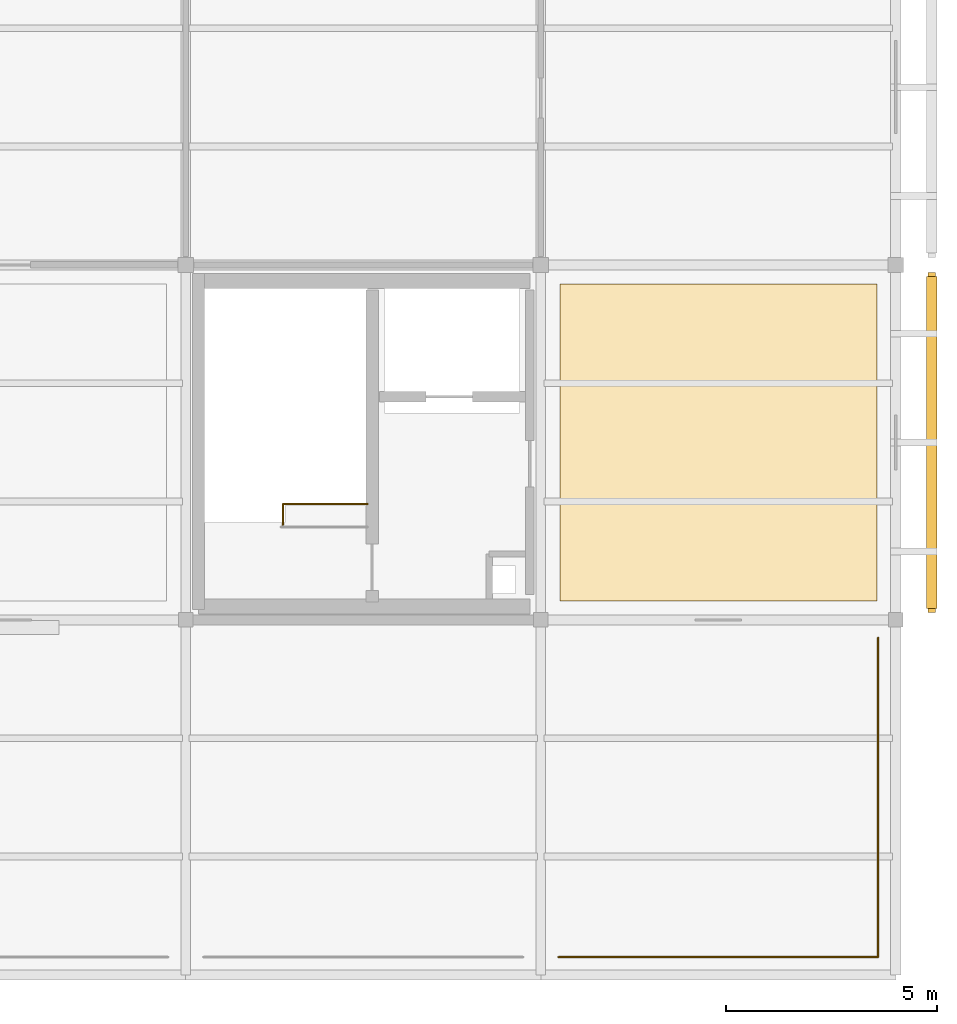
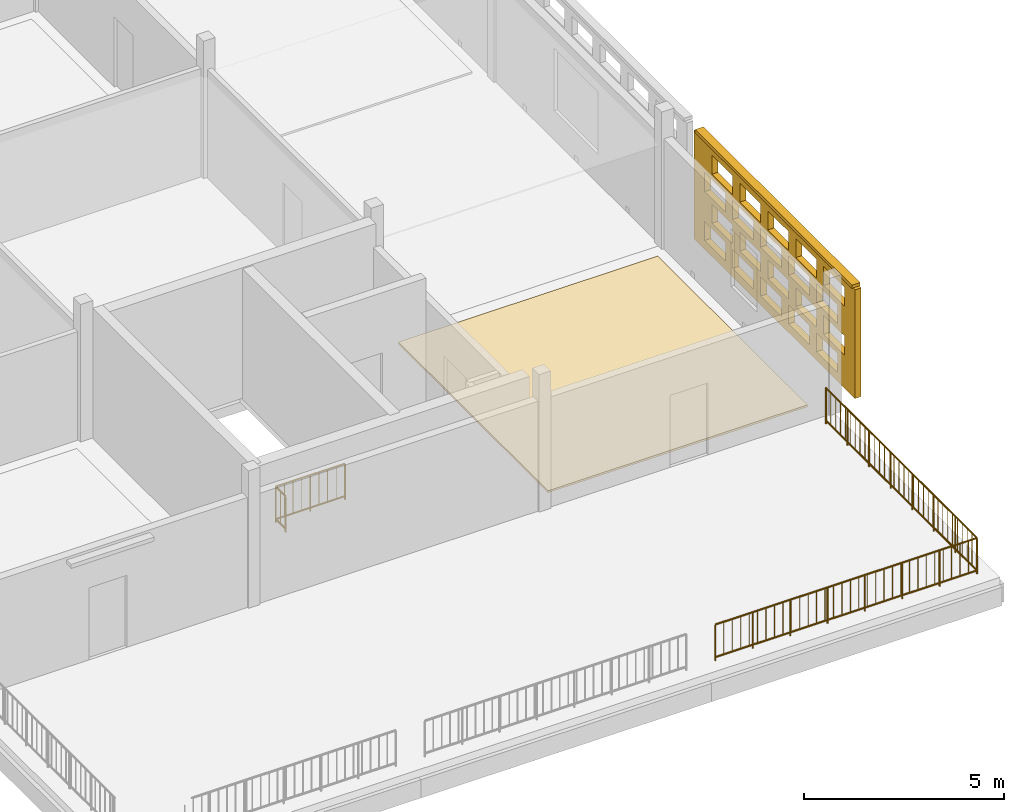
# One storey, part 6 of 13: 3 railings, 2 coverings, 1 shading device, 20 openings.
"""IFC4 building model written with IfcOpenShell, lengths in metres."""

from ifc_helpers import new_model, si_unit, direction, frame, frame_2d, origin, origin_2d, place, context, subcontext, project, spatial, rectangle, circle, extrude, material, layer, layer_set, type_object, element, save


model = new_model("IFC4")

# Units and contexts
model_context = context("Model", 3, precision=1e-05, world=origin(), true_north=direction((0.0, 1.0)))
body_context = subcontext(model_context, "Body", "Model", "MODEL_VIEW")
ifc_project = project(units=[si_unit("LENGTHUNIT", "METRE"), si_unit("AREAUNIT", "SQUARE_METRE"), si_unit("VOLUMEUNIT", "CUBIC_METRE"), si_unit("PLANEANGLEUNIT", "RADIAN"), si_unit("MASSUNIT", "GRAM", prefix="KILO")], contexts=[model_context])

# Site, building, storey
site_placement = place(None, origin())
site = spatial("IfcSite", under=ifc_project, at=site_placement, CompositionType="ELEMENT")
building_placement = place(site_placement, origin())
building = spatial("IfcBuilding", under=site, at=building_placement, Name="Varnapada Polytechnic", CompositionType="ELEMENT")
storey_placement = place(building_placement, frame((0.0, 0.0, 26.39990234375)))
storey = spatial("IfcBuildingStorey", under=building, at=storey_placement, Name="L06", CompositionType="ELEMENT", Elevation=26.39990234375)

# Covering
ifc_material_1 = material(Name="Anti-Static Raised Laboratory Flooring")
ifc_layer_1 = layer(ifc_material_1, 0.06005859375)
ifc_layer_set_1 = layer_set([ifc_layer_1], Name="Anti-Static Raised Laboratory Flooring")
covering_type_1 = type_object("IfcCoveringType", Name="Floor Finish FLR-02", PredefinedType="FLOORING", material=ifc_layer_set_1)
covering_1_placement = place(storey_placement, frame((21.0, 63.0, 0.0), z_axis=(0.0, 0.0, 1.0), x_axis=(1.0, 0.0, 0.0)))
element("IfcCovering", 1, at=covering_1_placement, inside=storey, type_object=covering_type_1, Name="L06 floor finish panel (3,8)", PredefinedType="FLOORING", context=body_context, shape_type="SweptSolid", body=[
    extrude(rectangle(XDim=7.5, YDim=7.5, at=origin_2d()), origin(), (0.0, 0.0, 1.0), 0.06005859375),
])

# Railings
ifc_material_2 = material(Name="Brushed Stainless Steel 316", Category="steel")
railing_type_1 = type_object("IfcRailingType", Name="Stair Well Guard Rail SGR-01", PredefinedType="BALUSTRADE", material=ifc_material_2)
railing_1_placement = place(storey_placement, frame((10.699951171875, 61.050048828125, 0.0)))
element("IfcRailing", 2, at=railing_1_placement, inside=storey, type_object=railing_type_1, Name="L06 C2 top stair-well guard", PredefinedType="BALUSTRADE", context=body_context, shape_type="SweptSolid", body=[
    extrude(circle(Radius=0.02392578125, at=origin_2d()), frame((0.0, 0.0, 1.09619140625), z_axis=(0.0, 1.0, 0.0), x_axis=(-1.0, 0.0, 0.0)), (0.0, 0.0, 1.0), 0.489990234375),
    extrude(circle(Radius=0.02392578125, at=origin_2d()), frame((0.0, 0.0, 0.10009765625), z_axis=(0.0, 1.0, 0.0), x_axis=(-1.0, 0.0, 0.0)), (0.0, 0.0, 1.0), 0.489990234375),
    extrude(circle(Radius=0.02392578125, at=origin_2d()), frame((0.0, 0.489990234375, 1.09619140625), z_axis=(1.0, 0.0, 0.0), x_axis=(0.0, 1.0, 0.0)), (0.0, 0.0, 1.0), 2.0),
    extrude(circle(Radius=0.02392578125, at=origin_2d()), frame((0.0, 0.489990234375, 0.10009765625), z_axis=(1.0, 0.0, 0.0), x_axis=(0.0, 1.0, 0.0)), (0.0, 0.0, 1.0), 2.0),
    extrude(circle(Radius=0.02099609375, at=origin_2d()), origin(), (0.0, 0.0, 1.0), 1.072021484375),
    extrude(circle(Radius=0.02099609375, at=origin_2d()), frame((0.0, 0.489990234375, 0.0)), (0.0, 0.0, 1.0), 1.072021484375),
    extrude(circle(Radius=0.02099609375, at=origin_2d()), frame((1.0, 0.489990234375, 0.0)), (0.0, 0.0, 1.0), 1.072021484375),
    extrude(circle(Radius=0.02099609375, at=origin_2d()), frame((2.0, 0.489990234375, 0.0)), (0.0, 0.0, 1.0), 1.072021484375),
    extrude(circle(Radius=0.010009765625, at=origin_2d()), frame((0.0, 0.2451171875, 0.10009765625)), (0.0, 0.0, 1.0), 0.971923828125),
    extrude(circle(Radius=0.010009765625, at=origin_2d()), frame((0.25, 0.489990234375, 0.10009765625)), (0.0, 0.0, 1.0), 0.971923828125),
    extrude(circle(Radius=0.010009765625, at=origin_2d()), frame((0.5, 0.489990234375, 0.10009765625)), (0.0, 0.0, 1.0), 0.971923828125),
    extrude(circle(Radius=0.010009765625, at=origin_2d()), frame((0.75, 0.489990234375, 0.10009765625)), (0.0, 0.0, 1.0), 0.971923828125),
    extrude(circle(Radius=0.010009765625, at=origin_2d()), frame((1.0, 0.489990234375, 0.10009765625)), (0.0, 0.0, 1.0), 0.971923828125),
    extrude(circle(Radius=0.010009765625, at=origin_2d()), frame((1.25, 0.489990234375, 0.10009765625)), (0.0, 0.0, 1.0), 0.971923828125),
    extrude(circle(Radius=0.010009765625, at=origin_2d()), frame((1.5, 0.489990234375, 0.10009765625)), (0.0, 0.0, 1.0), 0.971923828125),
    extrude(circle(Radius=0.010009765625, at=origin_2d()), frame((1.75, 0.489990234375, 0.10009765625)), (0.0, 0.0, 1.0), 0.971923828125),
])
ifc_material_3 = material(Name="Painted galvanized steel", Category="steel")
railing_type_2 = type_object("IfcRailingType", Name="Terrace Guard Rail GRD-01", PredefinedType="BALUSTRADE", material=ifc_material_3)
railing_2_placement = place(storey_placement, frame((17.219970703125, 50.820068359375, 0.0)))
element("IfcRailing", 3, at=railing_2_placement, inside=storey, type_object=railing_type_2, Name="L06 terrace perimeter guard rail 7", PredefinedType="BALUSTRADE", context=body_context, shape_type="SweptSolid", body=[
    extrude(circle(Radius=0.02392578125, at=origin_2d()), frame((0.0, 0.0, 1.09619140625), z_axis=(1.0, 0.0, 0.0), x_axis=(0.0, 1.0, 0.0)), (0.0, 0.0, 1.0), 7.56005859375),
    extrude(circle(Radius=0.02392578125, at=origin_2d()), frame((0.0, 0.0, 0.10009765625), z_axis=(1.0, 0.0, 0.0), x_axis=(0.0, 1.0, 0.0)), (0.0, 0.0, 1.0), 7.56005859375),
    extrude(circle(Radius=0.02099609375, at=origin_2d()), origin(), (0.0, 0.0, 1.0), 1.072021484375),
    extrude(circle(Radius=0.02099609375, at=origin_2d()), frame((1.080078125, 0.0, 0.0)), (0.0, 0.0, 1.0), 1.072021484375),
    extrude(circle(Radius=0.02099609375, at=origin_2d()), frame((2.159912109375, 0.0, 0.0)), (0.0, 0.0, 1.0), 1.072021484375),
    extrude(circle(Radius=0.02099609375, at=origin_2d()), frame((3.239990234375, 0.0, 0.0)), (0.0, 0.0, 1.0), 1.072021484375),
    extrude(circle(Radius=0.02099609375, at=origin_2d()), frame((4.320068359375, 0.0, 0.0)), (0.0, 0.0, 1.0), 1.072021484375),
    extrude(circle(Radius=0.02099609375, at=origin_2d()), frame((5.400146484375, 0.0, 0.0)), (0.0, 0.0, 1.0), 1.072021484375),
    extrude(circle(Radius=0.02099609375, at=origin_2d()), frame((6.47998046875, 0.0, 0.0)), (0.0, 0.0, 1.0), 1.072021484375),
    extrude(circle(Radius=0.02099609375, at=origin_2d()), frame((7.56005859375, 0.0, 0.0)), (0.0, 0.0, 1.0), 1.072021484375),
    extrude(circle(Radius=0.010009765625, at=origin_2d()), frame((0.243896484375, 0.0, 0.10009765625)), (0.0, 0.0, 1.0), 0.971923828125),
    extrude(circle(Radius=0.010009765625, at=origin_2d()), frame((0.48779296875, 0.0, 0.10009765625)), (0.0, 0.0, 1.0), 0.971923828125),
    extrude(circle(Radius=0.010009765625, at=origin_2d()), frame((0.731689453125, 0.0, 0.10009765625)), (0.0, 0.0, 1.0), 0.971923828125),
    extrude(circle(Radius=0.010009765625, at=origin_2d()), frame((0.9755859375, 0.0, 0.10009765625)), (0.0, 0.0, 1.0), 0.971923828125),
    extrude(circle(Radius=0.010009765625, at=origin_2d()), frame((1.219482421875, 0.0, 0.10009765625)), (0.0, 0.0, 1.0), 0.971923828125),
    extrude(circle(Radius=0.010009765625, at=origin_2d()), frame((1.463134765625, 0.0, 0.10009765625)), (0.0, 0.0, 1.0), 0.971923828125),
    extrude(circle(Radius=0.010009765625, at=origin_2d()), frame((1.70703125, 0.0, 0.10009765625)), (0.0, 0.0, 1.0), 0.971923828125),
    extrude(circle(Radius=0.010009765625, at=origin_2d()), frame((1.950927734375, 0.0, 0.10009765625)), (0.0, 0.0, 1.0), 0.971923828125),
    extrude(circle(Radius=0.010009765625, at=origin_2d()), frame((2.19482421875, 0.0, 0.10009765625)), (0.0, 0.0, 1.0), 0.971923828125),
    extrude(circle(Radius=0.010009765625, at=origin_2d()), frame((2.438720703125, 0.0, 0.10009765625)), (0.0, 0.0, 1.0), 0.971923828125),
    extrude(circle(Radius=0.010009765625, at=origin_2d()), frame((2.6826171875, 0.0, 0.10009765625)), (0.0, 0.0, 1.0), 0.971923828125),
    extrude(circle(Radius=0.010009765625, at=origin_2d()), frame((2.926513671875, 0.0, 0.10009765625)), (0.0, 0.0, 1.0), 0.971923828125),
    extrude(circle(Radius=0.010009765625, at=origin_2d()), frame((3.17041015625, 0.0, 0.10009765625)), (0.0, 0.0, 1.0), 0.971923828125),
    extrude(circle(Radius=0.010009765625, at=origin_2d()), frame((3.414306640625, 0.0, 0.10009765625)), (0.0, 0.0, 1.0), 0.971923828125),
    extrude(circle(Radius=0.010009765625, at=origin_2d()), frame((3.658203125, 0.0, 0.10009765625)), (0.0, 0.0, 1.0), 0.971923828125),
    extrude(circle(Radius=0.010009765625, at=origin_2d()), frame((3.90185546875, 0.0, 0.10009765625)), (0.0, 0.0, 1.0), 0.971923828125),
    extrude(circle(Radius=0.010009765625, at=origin_2d()), frame((4.145751953125, 0.0, 0.10009765625)), (0.0, 0.0, 1.0), 0.971923828125),
    extrude(circle(Radius=0.010009765625, at=origin_2d()), frame((4.3896484375, 0.0, 0.10009765625)), (0.0, 0.0, 1.0), 0.971923828125),
    extrude(circle(Radius=0.010009765625, at=origin_2d()), frame((4.633544921875, 0.0, 0.10009765625)), (0.0, 0.0, 1.0), 0.971923828125),
    extrude(circle(Radius=0.010009765625, at=origin_2d()), frame((4.87744140625, 0.0, 0.10009765625)), (0.0, 0.0, 1.0), 0.971923828125),
    extrude(circle(Radius=0.010009765625, at=origin_2d()), frame((5.121337890625, 0.0, 0.10009765625)), (0.0, 0.0, 1.0), 0.971923828125),
    extrude(circle(Radius=0.010009765625, at=origin_2d()), frame((5.365234375, 0.0, 0.10009765625)), (0.0, 0.0, 1.0), 0.971923828125),
    extrude(circle(Radius=0.010009765625, at=origin_2d()), frame((5.609130859375, 0.0, 0.10009765625)), (0.0, 0.0, 1.0), 0.971923828125),
    extrude(circle(Radius=0.010009765625, at=origin_2d()), frame((5.85302734375, 0.0, 0.10009765625)), (0.0, 0.0, 1.0), 0.971923828125),
    extrude(circle(Radius=0.010009765625, at=origin_2d()), frame((6.096923828125, 0.0, 0.10009765625)), (0.0, 0.0, 1.0), 0.971923828125),
    extrude(circle(Radius=0.010009765625, at=origin_2d()), frame((6.340576171875, 0.0, 0.10009765625)), (0.0, 0.0, 1.0), 0.971923828125),
    extrude(circle(Radius=0.010009765625, at=origin_2d()), frame((6.58447265625, 0.0, 0.10009765625)), (0.0, 0.0, 1.0), 0.971923828125),
    extrude(circle(Radius=0.010009765625, at=origin_2d()), frame((6.828369140625, 0.0, 0.10009765625)), (0.0, 0.0, 1.0), 0.971923828125),
    extrude(circle(Radius=0.010009765625, at=origin_2d()), frame((7.072265625, 0.0, 0.10009765625)), (0.0, 0.0, 1.0), 0.971923828125),
    extrude(circle(Radius=0.010009765625, at=origin_2d()), frame((7.316162109375, 0.0, 0.10009765625)), (0.0, 0.0, 1.0), 0.971923828125),
])
railing_3_placement = place(storey_placement, frame((24.780029296875, 50.820068359375, 0.0)))
element("IfcRailing", 4, at=railing_3_placement, inside=storey, type_object=railing_type_2, Name="L06 terrace perimeter guard rail 8", PredefinedType="BALUSTRADE", context=body_context, shape_type="SweptSolid", body=[
    extrude(circle(Radius=0.02392578125, at=origin_2d()), frame((0.0, 0.0, 1.09619140625), z_axis=(0.0, 1.0, 0.0), x_axis=(-1.0, 0.0, 0.0)), (0.0, 0.0, 1.0), 7.559814453125),
    extrude(circle(Radius=0.02392578125, at=origin_2d()), frame((0.0, 0.0, 0.10009765625), z_axis=(0.0, 1.0, 0.0), x_axis=(-1.0, 0.0, 0.0)), (0.0, 0.0, 1.0), 7.559814453125),
    extrude(circle(Radius=0.02099609375, at=origin_2d()), origin(), (0.0, 0.0, 1.0), 1.072021484375),
    extrude(circle(Radius=0.02099609375, at=origin_2d()), frame((0.0, 1.080078125, 0.0)), (0.0, 0.0, 1.0), 1.072021484375),
    extrude(circle(Radius=0.02099609375, at=origin_2d()), frame((0.0, 2.159912109375, 0.0)), (0.0, 0.0, 1.0), 1.072021484375),
    extrude(circle(Radius=0.02099609375, at=origin_2d()), frame((0.0, 3.239990234375, 0.0)), (0.0, 0.0, 1.0), 1.072021484375),
    extrude(circle(Radius=0.02099609375, at=origin_2d()), frame((0.0, 4.31982421875, 0.0)), (0.0, 0.0, 1.0), 1.072021484375),
    extrude(circle(Radius=0.02099609375, at=origin_2d()), frame((0.0, 5.39990234375, 0.0)), (0.0, 0.0, 1.0), 1.072021484375),
    extrude(circle(Radius=0.02099609375, at=origin_2d()), frame((0.0, 6.479736328125, 0.0)), (0.0, 0.0, 1.0), 1.072021484375),
    extrude(circle(Radius=0.02099609375, at=origin_2d()), frame((0.0, 7.559814453125, 0.0)), (0.0, 0.0, 1.0), 1.072021484375),
    extrude(circle(Radius=0.010009765625, at=origin_2d()), frame((0.0, 0.243896484375, 0.10009765625)), (0.0, 0.0, 1.0), 0.971923828125),
    extrude(circle(Radius=0.010009765625, at=origin_2d()), frame((0.0, 0.48779296875, 0.10009765625)), (0.0, 0.0, 1.0), 0.971923828125),
    extrude(circle(Radius=0.010009765625, at=origin_2d()), frame((0.0, 0.731689453125, 0.10009765625)), (0.0, 0.0, 1.0), 0.971923828125),
    extrude(circle(Radius=0.010009765625, at=origin_2d()), frame((0.0, 0.975341796875, 0.10009765625)), (0.0, 0.0, 1.0), 0.971923828125),
    extrude(circle(Radius=0.010009765625, at=origin_2d()), frame((0.0, 1.21923828125, 0.10009765625)), (0.0, 0.0, 1.0), 0.971923828125),
    extrude(circle(Radius=0.010009765625, at=origin_2d()), frame((0.0, 1.463134765625, 0.10009765625)), (0.0, 0.0, 1.0), 0.971923828125),
    extrude(circle(Radius=0.010009765625, at=origin_2d()), frame((0.0, 1.70703125, 0.10009765625)), (0.0, 0.0, 1.0), 0.971923828125),
    extrude(circle(Radius=0.010009765625, at=origin_2d()), frame((0.0, 1.950927734375, 0.10009765625)), (0.0, 0.0, 1.0), 0.971923828125),
    extrude(circle(Radius=0.010009765625, at=origin_2d()), frame((0.0, 2.19482421875, 0.10009765625)), (0.0, 0.0, 1.0), 0.971923828125),
    extrude(circle(Radius=0.010009765625, at=origin_2d()), frame((0.0, 2.438720703125, 0.10009765625)), (0.0, 0.0, 1.0), 0.971923828125),
    extrude(circle(Radius=0.010009765625, at=origin_2d()), frame((0.0, 2.6826171875, 0.10009765625)), (0.0, 0.0, 1.0), 0.971923828125),
    extrude(circle(Radius=0.010009765625, at=origin_2d()), frame((0.0, 2.92626953125, 0.10009765625)), (0.0, 0.0, 1.0), 0.971923828125),
    extrude(circle(Radius=0.010009765625, at=origin_2d()), frame((0.0, 3.170166015625, 0.10009765625)), (0.0, 0.0, 1.0), 0.971923828125),
    extrude(circle(Radius=0.010009765625, at=origin_2d()), frame((0.0, 3.4140625, 0.10009765625)), (0.0, 0.0, 1.0), 0.971923828125),
    extrude(circle(Radius=0.010009765625, at=origin_2d()), frame((0.0, 3.657958984375, 0.10009765625)), (0.0, 0.0, 1.0), 0.971923828125),
    extrude(circle(Radius=0.010009765625, at=origin_2d()), frame((0.0, 3.90185546875, 0.10009765625)), (0.0, 0.0, 1.0), 0.971923828125),
    extrude(circle(Radius=0.010009765625, at=origin_2d()), frame((0.0, 4.145751953125, 0.10009765625)), (0.0, 0.0, 1.0), 0.971923828125),
    extrude(circle(Radius=0.010009765625, at=origin_2d()), frame((0.0, 4.3896484375, 0.10009765625)), (0.0, 0.0, 1.0), 0.971923828125),
    extrude(circle(Radius=0.010009765625, at=origin_2d()), frame((0.0, 4.633544921875, 0.10009765625)), (0.0, 0.0, 1.0), 0.971923828125),
    extrude(circle(Radius=0.010009765625, at=origin_2d()), frame((0.0, 4.877197265625, 0.10009765625)), (0.0, 0.0, 1.0), 0.971923828125),
    extrude(circle(Radius=0.010009765625, at=origin_2d()), frame((0.0, 5.12109375, 0.10009765625)), (0.0, 0.0, 1.0), 0.971923828125),
    extrude(circle(Radius=0.010009765625, at=origin_2d()), frame((0.0, 5.364990234375, 0.10009765625)), (0.0, 0.0, 1.0), 0.971923828125),
    extrude(circle(Radius=0.010009765625, at=origin_2d()), frame((0.0, 5.60888671875, 0.10009765625)), (0.0, 0.0, 1.0), 0.971923828125),
    extrude(circle(Radius=0.010009765625, at=origin_2d()), frame((0.0, 5.852783203125, 0.10009765625)), (0.0, 0.0, 1.0), 0.971923828125),
    extrude(circle(Radius=0.010009765625, at=origin_2d()), frame((0.0, 6.0966796875, 0.10009765625)), (0.0, 0.0, 1.0), 0.971923828125),
    extrude(circle(Radius=0.010009765625, at=origin_2d()), frame((0.0, 6.340576171875, 0.10009765625)), (0.0, 0.0, 1.0), 0.971923828125),
    extrude(circle(Radius=0.010009765625, at=origin_2d()), frame((0.0, 6.58447265625, 0.10009765625)), (0.0, 0.0, 1.0), 0.971923828125),
    extrude(circle(Radius=0.010009765625, at=origin_2d()), frame((0.0, 6.828125, 0.10009765625)), (0.0, 0.0, 1.0), 0.971923828125),
    extrude(circle(Radius=0.010009765625, at=origin_2d()), frame((0.0, 7.072021484375, 0.10009765625)), (0.0, 0.0, 1.0), 0.971923828125),
    extrude(circle(Radius=0.010009765625, at=origin_2d()), frame((0.0, 7.31591796875, 0.10009765625)), (0.0, 0.0, 1.0), 0.971923828125),
])

# Covering, openings
ifc_material_4 = material(Name="Earth-toned architectural terracotta screen block", Category="masonry")
ifc_layer_2 = layer(ifc_material_4, 0.1201171875)
ifc_layer_set_2 = layer_set([ifc_layer_2], Name="Earth-toned architectural terracotta screen block")
covering_type_2 = type_object("IfcCoveringType", Name="Terracotta Screen Cladding CLD-01", PredefinedType="CLADDING", material=ifc_layer_set_2)
covering_2_placement = place(storey_placement, frame((26.050048828125, 67.02001953125, 0.0), z_axis=(0.0, 0.0, 1.0), x_axis=(0.0, -1.0, 0.0)))
covering_2 = element("IfcCovering", 5, at=covering_2_placement, inside=storey, type_object=covering_type_2, Name="L06 perforated terracotta block screen (13)", PredefinedType="CLADDING", context=body_context, shape_type="SweptSolid", body=[
    extrude(rectangle(XDim=8.050048828125, YDim=0.179931640625, at=frame_2d((4.02490234375, 0.0))), origin(), (0.0, 0.0, 1.0), 3.320068359375),
])
opening_1_placement = place(covering_2_placement, frame((0.52490234375, 0.0, 0.265625)))
element("IfcOpeningElement", 6, at=opening_1_placement, cuts=covering_2, Name="Screen perforation TBS-L06-012.1", PredefinedType="OPENING", context=body_context, shape_type="SweptSolid", body=[
    extrude(rectangle(XDim=1.0400390625, YDim=0.5810546875, at=frame_2d((0.52001953125, 0.29052734375))), frame((0.0, 0.099853515625, 0.0), z_axis=(0.0, -1.0, 0.0), x_axis=(1.0, 0.0, 0.0)), (0.0, 0.0, 1.0), 0.199951171875),
])
opening_2_placement = place(covering_2_placement, frame((1.925048828125, 0.0, 0.265625)))
element("IfcOpeningElement", 7, at=opening_2_placement, cuts=covering_2, Name="Screen perforation TBS-L06-012.2", PredefinedType="OPENING", context=body_context, shape_type="SweptSolid", body=[
    extrude(rectangle(XDim=1.0400390625, YDim=0.5810546875, at=frame_2d((0.52001953125, 0.29052734375))), frame((0.0, 0.099853515625, 0.0), z_axis=(0.0, -1.0, 0.0), x_axis=(1.0, 0.0, 0.0)), (0.0, 0.0, 1.0), 0.199951171875),
])
opening_3_placement = place(covering_2_placement, frame((3.324951171875, 0.0, 0.265625)))
element("IfcOpeningElement", 8, at=opening_3_placement, cuts=covering_2, Name="Screen perforation TBS-L06-012.3", PredefinedType="OPENING", context=body_context, shape_type="SweptSolid", body=[
    extrude(rectangle(XDim=1.0400390625, YDim=0.5810546875, at=frame_2d((0.52001953125, 0.29052734375))), frame((0.0, 0.099853515625, 0.0), z_axis=(0.0, -1.0, 0.0), x_axis=(1.0, 0.0, 0.0)), (0.0, 0.0, 1.0), 0.199951171875),
])
opening_4_placement = place(covering_2_placement, frame((4.72509765625, 0.0, 0.265625)))
element("IfcOpeningElement", 9, at=opening_4_placement, cuts=covering_2, Name="Screen perforation TBS-L06-012.4", PredefinedType="OPENING", context=body_context, shape_type="SweptSolid", body=[
    extrude(rectangle(XDim=1.0400390625, YDim=0.5810546875, at=frame_2d((0.52001953125, 0.29052734375))), frame((0.0, 0.099853515625, 0.0), z_axis=(0.0, -1.0, 0.0), x_axis=(1.0, 0.0, 0.0)), (0.0, 0.0, 1.0), 0.199951171875),
])
opening_5_placement = place(covering_2_placement, frame((6.125, 0.0, 0.265625)))
element("IfcOpeningElement", 10, at=opening_5_placement, cuts=covering_2, Name="Screen perforation TBS-L06-012.5", PredefinedType="OPENING", context=body_context, shape_type="SweptSolid", body=[
    extrude(rectangle(XDim=1.0400390625, YDim=0.5810546875, at=frame_2d((0.52001953125, 0.29052734375))), frame((0.0, 0.099853515625, 0.0), z_axis=(0.0, -1.0, 0.0), x_axis=(1.0, 0.0, 0.0)), (0.0, 0.0, 1.0), 0.199951171875),
])
opening_6_placement = place(covering_2_placement, frame((0.885009765625, 0.0, 1.0126953125)))
element("IfcOpeningElement", 11, at=opening_6_placement, cuts=covering_2, Name="Screen perforation TBS-L06-012.6", PredefinedType="OPENING", context=body_context, shape_type="SweptSolid", body=[
    extrude(rectangle(XDim=1.0400390625, YDim=0.5810546875, at=frame_2d((0.52001953125, 0.29052734375))), frame((0.0, 0.099853515625, 0.0), z_axis=(0.0, -1.0, 0.0), x_axis=(1.0, 0.0, 0.0)), (0.0, 0.0, 1.0), 0.199951171875),
])
opening_7_placement = place(covering_2_placement, frame((2.284912109375, 0.0, 1.0126953125)))
element("IfcOpeningElement", 12, at=opening_7_placement, cuts=covering_2, Name="Screen perforation TBS-L06-012.7", PredefinedType="OPENING", context=body_context, shape_type="SweptSolid", body=[
    extrude(rectangle(XDim=1.0400390625, YDim=0.5810546875, at=frame_2d((0.52001953125, 0.29052734375))), frame((0.0, 0.099853515625, 0.0), z_axis=(0.0, -1.0, 0.0), x_axis=(1.0, 0.0, 0.0)), (0.0, 0.0, 1.0), 0.199951171875),
])
opening_8_placement = place(covering_2_placement, frame((3.68505859375, 0.0, 1.0126953125)))
element("IfcOpeningElement", 13, at=opening_8_placement, cuts=covering_2, Name="Screen perforation TBS-L06-012.8", PredefinedType="OPENING", context=body_context, shape_type="SweptSolid", body=[
    extrude(rectangle(XDim=1.0400390625, YDim=0.5810546875, at=frame_2d((0.52001953125, 0.29052734375))), frame((0.0, 0.099853515625, 0.0), z_axis=(0.0, -1.0, 0.0), x_axis=(1.0, 0.0, 0.0)), (0.0, 0.0, 1.0), 0.199951171875),
])
opening_9_placement = place(covering_2_placement, frame((5.0849609375, 0.0, 1.0126953125)))
element("IfcOpeningElement", 14, at=opening_9_placement, cuts=covering_2, Name="Screen perforation TBS-L06-012.9", PredefinedType="OPENING", context=body_context, shape_type="SweptSolid", body=[
    extrude(rectangle(XDim=1.0400390625, YDim=0.5810546875, at=frame_2d((0.52001953125, 0.29052734375))), frame((0.0, 0.099853515625, 0.0), z_axis=(0.0, -1.0, 0.0), x_axis=(1.0, 0.0, 0.0)), (0.0, 0.0, 1.0), 0.199951171875),
])
opening_10_placement = place(covering_2_placement, frame((6.485107421875, 0.0, 1.0126953125)))
element("IfcOpeningElement", 15, at=opening_10_placement, cuts=covering_2, Name="Screen perforation TBS-L06-012.10", PredefinedType="OPENING", context=body_context, shape_type="SweptSolid", body=[
    extrude(rectangle(XDim=1.0400390625, YDim=0.5810546875, at=frame_2d((0.52001953125, 0.29052734375))), frame((0.0, 0.099853515625, 0.0), z_axis=(0.0, -1.0, 0.0), x_axis=(1.0, 0.0, 0.0)), (0.0, 0.0, 1.0), 0.199951171875),
])
opening_11_placement = place(covering_2_placement, frame((0.52490234375, 0.0, 1.759521484375)))
element("IfcOpeningElement", 16, at=opening_11_placement, cuts=covering_2, Name="Screen perforation TBS-L06-012.11", PredefinedType="OPENING", context=body_context, shape_type="SweptSolid", body=[
    extrude(rectangle(XDim=1.0400390625, YDim=0.5810546875, at=frame_2d((0.52001953125, 0.29052734375))), frame((0.0, 0.099853515625, 0.0), z_axis=(0.0, -1.0, 0.0), x_axis=(1.0, 0.0, 0.0)), (0.0, 0.0, 1.0), 0.199951171875),
])
opening_12_placement = place(covering_2_placement, frame((1.925048828125, 0.0, 1.759521484375)))
element("IfcOpeningElement", 17, at=opening_12_placement, cuts=covering_2, Name="Screen perforation TBS-L06-012.12", PredefinedType="OPENING", context=body_context, shape_type="SweptSolid", body=[
    extrude(rectangle(XDim=1.0400390625, YDim=0.5810546875, at=frame_2d((0.52001953125, 0.29052734375))), frame((0.0, 0.099853515625, 0.0), z_axis=(0.0, -1.0, 0.0), x_axis=(1.0, 0.0, 0.0)), (0.0, 0.0, 1.0), 0.199951171875),
])
opening_13_placement = place(covering_2_placement, frame((3.324951171875, 0.0, 1.759521484375)))
element("IfcOpeningElement", 18, at=opening_13_placement, cuts=covering_2, Name="Screen perforation TBS-L06-012.13", PredefinedType="OPENING", context=body_context, shape_type="SweptSolid", body=[
    extrude(rectangle(XDim=1.0400390625, YDim=0.5810546875, at=frame_2d((0.52001953125, 0.29052734375))), frame((0.0, 0.099853515625, 0.0), z_axis=(0.0, -1.0, 0.0), x_axis=(1.0, 0.0, 0.0)), (0.0, 0.0, 1.0), 0.199951171875),
])
opening_14_placement = place(covering_2_placement, frame((4.72509765625, 0.0, 1.759521484375)))
element("IfcOpeningElement", 19, at=opening_14_placement, cuts=covering_2, Name="Screen perforation TBS-L06-012.14", PredefinedType="OPENING", context=body_context, shape_type="SweptSolid", body=[
    extrude(rectangle(XDim=1.0400390625, YDim=0.5810546875, at=frame_2d((0.52001953125, 0.29052734375))), frame((0.0, 0.099853515625, 0.0), z_axis=(0.0, -1.0, 0.0), x_axis=(1.0, 0.0, 0.0)), (0.0, 0.0, 1.0), 0.199951171875),
])
opening_15_placement = place(covering_2_placement, frame((6.125, 0.0, 1.759521484375)))
element("IfcOpeningElement", 20, at=opening_15_placement, cuts=covering_2, Name="Screen perforation TBS-L06-012.15", PredefinedType="OPENING", context=body_context, shape_type="SweptSolid", body=[
    extrude(rectangle(XDim=1.0400390625, YDim=0.5810546875, at=frame_2d((0.52001953125, 0.29052734375))), frame((0.0, 0.099853515625, 0.0), z_axis=(0.0, -1.0, 0.0), x_axis=(1.0, 0.0, 0.0)), (0.0, 0.0, 1.0), 0.199951171875),
])
opening_16_placement = place(covering_2_placement, frame((0.885009765625, 0.0, 2.506591796875)))
element("IfcOpeningElement", 21, at=opening_16_placement, cuts=covering_2, Name="Screen perforation TBS-L06-012.16", PredefinedType="OPENING", context=body_context, shape_type="SweptSolid", body=[
    extrude(rectangle(XDim=1.0400390625, YDim=0.5810546875, at=frame_2d((0.52001953125, 0.29052734375))), frame((0.0, 0.099853515625, 0.0), z_axis=(0.0, -1.0, 0.0), x_axis=(1.0, 0.0, 0.0)), (0.0, 0.0, 1.0), 0.199951171875),
])
opening_17_placement = place(covering_2_placement, frame((2.284912109375, 0.0, 2.506591796875)))
element("IfcOpeningElement", 22, at=opening_17_placement, cuts=covering_2, Name="Screen perforation TBS-L06-012.17", PredefinedType="OPENING", context=body_context, shape_type="SweptSolid", body=[
    extrude(rectangle(XDim=1.0400390625, YDim=0.5810546875, at=frame_2d((0.52001953125, 0.29052734375))), frame((0.0, 0.099853515625, 0.0), z_axis=(0.0, -1.0, 0.0), x_axis=(1.0, 0.0, 0.0)), (0.0, 0.0, 1.0), 0.199951171875),
])
opening_18_placement = place(covering_2_placement, frame((3.68505859375, 0.0, 2.506591796875)))
element("IfcOpeningElement", 23, at=opening_18_placement, cuts=covering_2, Name="Screen perforation TBS-L06-012.18", PredefinedType="OPENING", context=body_context, shape_type="SweptSolid", body=[
    extrude(rectangle(XDim=1.0400390625, YDim=0.5810546875, at=frame_2d((0.52001953125, 0.29052734375))), frame((0.0, 0.099853515625, 0.0), z_axis=(0.0, -1.0, 0.0), x_axis=(1.0, 0.0, 0.0)), (0.0, 0.0, 1.0), 0.199951171875),
])
opening_19_placement = place(covering_2_placement, frame((5.0849609375, 0.0, 2.506591796875)))
element("IfcOpeningElement", 24, at=opening_19_placement, cuts=covering_2, Name="Screen perforation TBS-L06-012.19", PredefinedType="OPENING", context=body_context, shape_type="SweptSolid", body=[
    extrude(rectangle(XDim=1.0400390625, YDim=0.5810546875, at=frame_2d((0.52001953125, 0.29052734375))), frame((0.0, 0.099853515625, 0.0), z_axis=(0.0, -1.0, 0.0), x_axis=(1.0, 0.0, 0.0)), (0.0, 0.0, 1.0), 0.199951171875),
])
opening_20_placement = place(covering_2_placement, frame((6.485107421875, 0.0, 2.506591796875)))
element("IfcOpeningElement", 25, at=opening_20_placement, cuts=covering_2, Name="Screen perforation TBS-L06-012.20", PredefinedType="OPENING", context=body_context, shape_type="SweptSolid", body=[
    extrude(rectangle(XDim=1.0400390625, YDim=0.5810546875, at=frame_2d((0.52001953125, 0.29052734375))), frame((0.0, 0.099853515625, 0.0), z_axis=(0.0, -1.0, 0.0), x_axis=(1.0, 0.0, 0.0)), (0.0, 0.0, 1.0), 0.199951171875),
])

# Shading device
ifc_layer_3 = layer(ifc_material_4, 0.179931640625)
ifc_layer_set_3 = layer_set([ifc_layer_3], Name="Earth-toned architectural terracotta screen block")
shading_device_type = type_object("IfcShadingDeviceType", Name="Terracotta Screen SCR-01", PredefinedType="USERDEFINED", material=ifc_layer_set_3)
shading_device_placement = place(storey_placement, frame((26.050048828125, 62.9951171875, 3.31005859375), z_axis=(0.0, 0.0, 1.0), x_axis=(0.0, -1.0, 0.0)))
element("IfcShadingDevice", 26, at=shading_device_placement, inside=storey, type_object=shading_device_type, Name="L06 perforated terracotta screen hood 500", ObjectType="SCREEN", PredefinedType="USERDEFINED", context=body_context, shape_type="SweptSolid", body=[
    extrude(rectangle(XDim=7.85009765625, YDim=0.239990234375, at=origin_2d()), origin(), (0.0, 0.0, 1.0), 0.10009765625),
])

save(model, "model.ifc")
